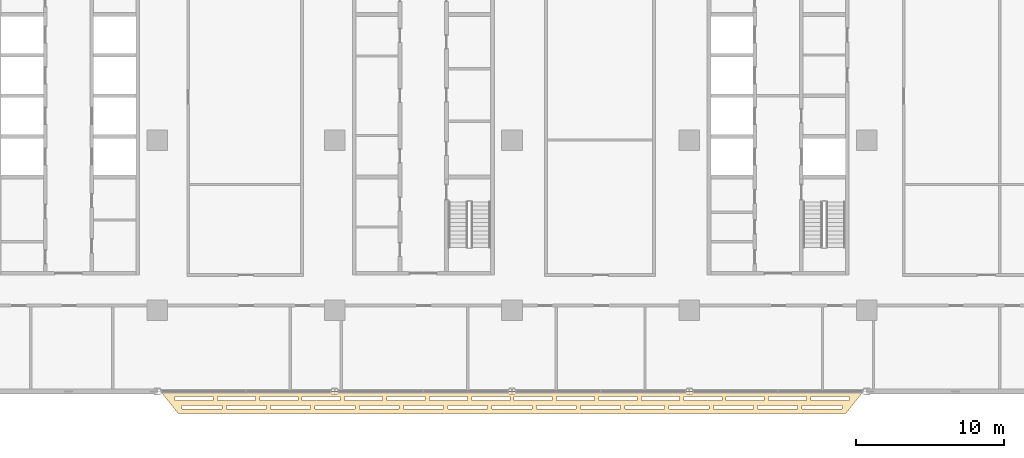
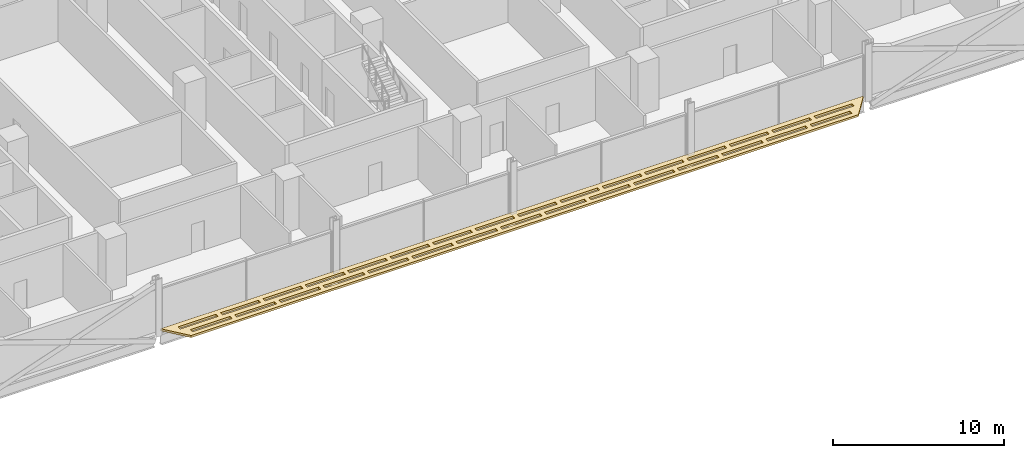
# One storey, part 25 of 29: 1 covering.
"""IFC4 building model written with IfcOpenShell, lengths in metres."""

from ifc_helpers import new_model, si_unit, direction, frame, origin, place, context, subcontext, project, spatial, polyline, outline, extrude, material, layer, layer_set, type_object, element, save


model = new_model("IFC4")

# Units and contexts
model_context = context("Model", 3, precision=1e-05, world=origin(), true_north=direction((0.0, 1.0)))
body_context = subcontext(model_context, "Body", "Model", "MODEL_VIEW")
ifc_project = project(units=[si_unit("LENGTHUNIT", "METRE"), si_unit("AREAUNIT", "SQUARE_METRE"), si_unit("VOLUMEUNIT", "CUBIC_METRE"), si_unit("PLANEANGLEUNIT", "RADIAN"), si_unit("MASSUNIT", "GRAM", prefix="KILO")], contexts=[model_context])

# Site, building, storey
site_placement = place(None, origin())
site = spatial("IfcSite", under=ifc_project, at=site_placement, CompositionType="ELEMENT")
building_placement = place(site_placement, origin())
building = spatial("IfcBuilding", under=site, at=building_placement, Name="Mahtab Terrace Research Tower", CompositionType="ELEMENT")
storey_placement = place(building_placement, frame((0.0, 0.0, 93.0)))
storey = spatial("IfcBuildingStorey", under=building, at=storey_placement, Name="L21", CompositionType="ELEMENT", Elevation=93.0)

# Covering
ifc_material = material(Name="Black anodised aluminium", Category="aluminium")
ifc_layer = layer(ifc_material, 0.14990234375)
ifc_layer_set = layer_set([ifc_layer], Name="Horizontal sunshade band")
covering_type = type_object("IfcCoveringType", Name="Horizontal sunshade band", PredefinedType="CLADDING", material=ifc_layer_set)
covering_placement = place(storey_placement, frame((0.0, 0.0, -0.14990234375)))
element("IfcCovering", 1, at=covering_placement, inside=storey, type_object=covering_type, Name="Sunshade band L21 25", PredefinedType="CLADDING", context=body_context, shape_type="SweptSolid", body=[
    extrude(outline(polyline([(-17.77197265625, -17.0), (29.77197265625, -17.0), (28.572021484375, -18.5), (-16.572021484375, -18.5), (-17.77197265625, -17.0)]), holes=[polyline([(-16.7919921875, -17.35009765625), (-14.22412109375, -17.35009765625), (-14.22412109375, -17.60009765625), (-16.7919921875, -17.60009765625), (-16.7919921875, -17.35009765625)]), polyline([(-13.924072265625, -17.35009765625), (-11.35693359375, -17.35009765625), (-11.35693359375, -17.60009765625), (-13.924072265625, -17.60009765625), (-13.924072265625, -17.35009765625)]), polyline([(-11.055908203125, -17.35009765625), (-8.489013671875, -17.35009765625), (-8.489013671875, -17.60009765625), (-11.055908203125, -17.60009765625), (-11.055908203125, -17.35009765625)]), polyline([(-8.18896484375, -17.35009765625), (-5.62109375, -17.35009765625), (-5.62109375, -17.60009765625), (-8.18896484375, -17.60009765625), (-8.18896484375, -17.35009765625)]), polyline([(-5.321044921875, -17.35009765625), (-2.7529296875, -17.35009765625), (-2.7529296875, -17.60009765625), (-5.321044921875, -17.60009765625), (-5.321044921875, -17.35009765625)]), polyline([(-2.452880859375, -17.35009765625), (0.114013671875, -17.35009765625), (0.114013671875, -17.60009765625), (-2.452880859375, -17.60009765625), (-2.452880859375, -17.35009765625)]), polyline([(0.4140625, -17.35009765625), (2.98193359375, -17.35009765625), (2.98193359375, -17.60009765625), (0.4140625, -17.60009765625), (0.4140625, -17.35009765625)]), polyline([(3.281982421875, -17.35009765625), (5.85009765625, -17.35009765625), (5.85009765625, -17.60009765625), (3.281982421875, -17.60009765625), (3.281982421875, -17.35009765625)]), polyline([(6.14990234375, -17.35009765625), (8.718017578125, -17.35009765625), (8.718017578125, -17.60009765625), (6.14990234375, -17.60009765625), (6.14990234375, -17.35009765625)]), polyline([(9.01806640625, -17.35009765625), (11.5849609375, -17.35009765625), (11.5849609375, -17.60009765625), (9.01806640625, -17.60009765625), (9.01806640625, -17.35009765625)]), polyline([(11.885009765625, -17.35009765625), (14.452880859375, -17.35009765625), (14.452880859375, -17.60009765625), (11.885009765625, -17.60009765625), (11.885009765625, -17.35009765625)]), polyline([(14.7529296875, -17.35009765625), (17.321044921875, -17.35009765625), (17.321044921875, -17.60009765625), (14.7529296875, -17.60009765625), (14.7529296875, -17.35009765625)]), polyline([(17.62109375, -17.35009765625), (20.18896484375, -17.35009765625), (20.18896484375, -17.60009765625), (17.62109375, -17.60009765625), (17.62109375, -17.35009765625)]), polyline([(20.489013671875, -17.35009765625), (23.055908203125, -17.35009765625), (23.055908203125, -17.60009765625), (20.489013671875, -17.60009765625), (20.489013671875, -17.35009765625)]), polyline([(23.35595703125, -17.35009765625), (25.924072265625, -17.35009765625), (25.924072265625, -17.60009765625), (23.35595703125, -17.60009765625), (23.35595703125, -17.35009765625)]), polyline([(26.22412109375, -17.35009765625), (28.7919921875, -17.35009765625), (28.7919921875, -17.60009765625), (26.22412109375, -17.60009765625), (26.22412109375, -17.35009765625)]), polyline([(-16.31201171875, -17.949951171875), (-13.616943359375, -17.949951171875), (-13.616943359375, -18.199951171875), (-16.31201171875, -18.199951171875), (-16.31201171875, -17.949951171875)]), polyline([(-13.31689453125, -17.949951171875), (-10.6220703125, -17.949951171875), (-10.6220703125, -18.199951171875), (-13.31689453125, -18.199951171875), (-13.31689453125, -17.949951171875)]), polyline([(-10.322021484375, -17.949951171875), (-7.626953125, -17.949951171875), (-7.626953125, -18.199951171875), (-10.322021484375, -18.199951171875), (-10.322021484375, -17.949951171875)]), polyline([(-7.326904296875, -17.949951171875), (-4.632080078125, -17.949951171875), (-4.632080078125, -18.199951171875), (-7.326904296875, -18.199951171875), (-7.326904296875, -17.949951171875)]), polyline([(-4.33203125, -17.949951171875), (-1.636962890625, -17.949951171875), (-1.636962890625, -18.199951171875), (-4.33203125, -18.199951171875), (-4.33203125, -17.949951171875)]), polyline([(-1.3369140625, -17.949951171875), (1.35791015625, -17.949951171875), (1.35791015625, -18.199951171875), (-1.3369140625, -18.199951171875), (-1.3369140625, -17.949951171875)]), polyline([(1.657958984375, -17.949951171875), (4.35302734375, -17.949951171875), (4.35302734375, -18.199951171875), (1.657958984375, -18.199951171875), (1.657958984375, -17.949951171875)]), polyline([(4.653076171875, -17.949951171875), (7.346923828125, -17.949951171875), (7.346923828125, -18.199951171875), (4.653076171875, -18.199951171875), (4.653076171875, -17.949951171875)]), polyline([(7.64697265625, -17.949951171875), (10.342041015625, -17.949951171875), (10.342041015625, -18.199951171875), (7.64697265625, -18.199951171875), (7.64697265625, -17.949951171875)]), polyline([(10.64208984375, -17.949951171875), (13.3369140625, -17.949951171875), (13.3369140625, -18.199951171875), (10.64208984375, -18.199951171875), (10.64208984375, -17.949951171875)]), polyline([(13.636962890625, -17.949951171875), (16.33203125, -17.949951171875), (16.33203125, -18.199951171875), (13.636962890625, -18.199951171875), (13.636962890625, -17.949951171875)]), polyline([(16.632080078125, -17.949951171875), (19.326904296875, -17.949951171875), (19.326904296875, -18.199951171875), (16.632080078125, -18.199951171875), (16.632080078125, -17.949951171875)]), polyline([(19.626953125, -17.949951171875), (22.322021484375, -17.949951171875), (22.322021484375, -18.199951171875), (19.626953125, -18.199951171875), (19.626953125, -17.949951171875)]), polyline([(22.6220703125, -17.949951171875), (25.31689453125, -17.949951171875), (25.31689453125, -18.199951171875), (22.6220703125, -18.199951171875), (22.6220703125, -17.949951171875)]), polyline([(25.616943359375, -17.949951171875), (28.31201171875, -17.949951171875), (28.31201171875, -18.199951171875), (25.616943359375, -18.199951171875), (25.616943359375, -17.949951171875)])]), origin(), (0.0, 0.0, 1.0), 0.14990234375),
])

save(model, "model.ifc")
